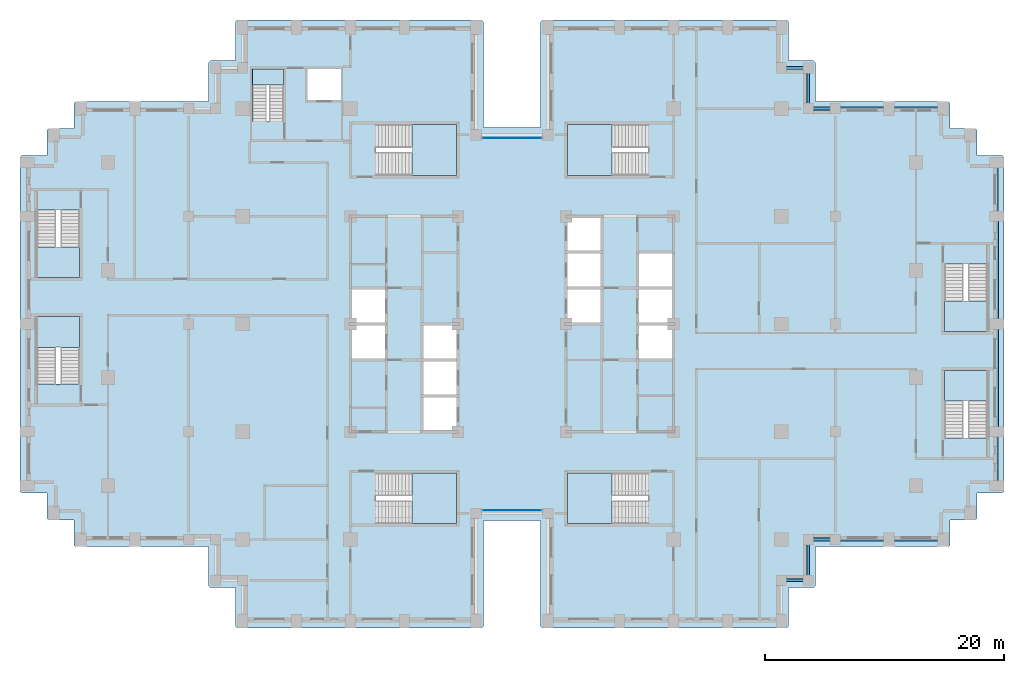
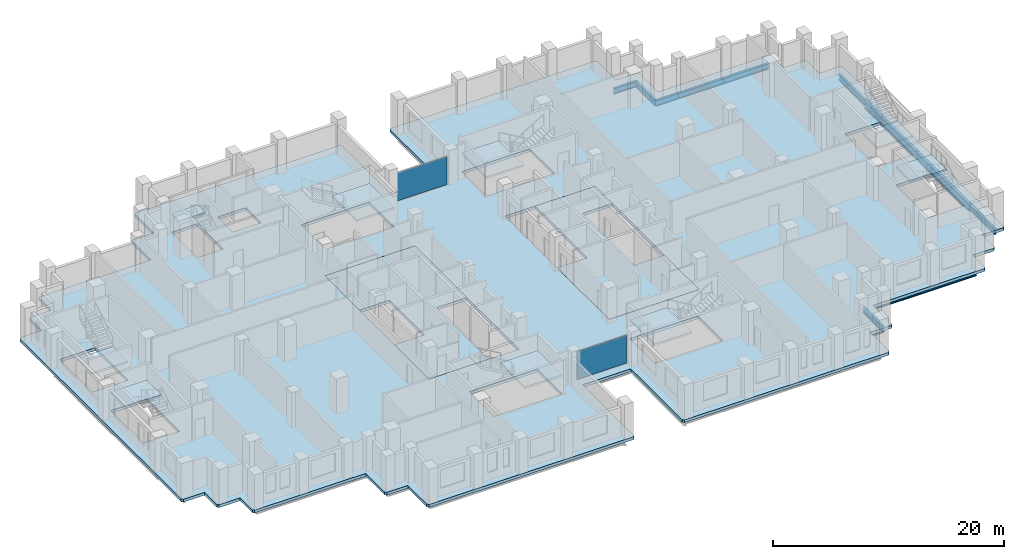
# One storey, part 5 of 16: 14 beams, 12 slabs, 2 plates, 11 elements without a shape of their own.
"""IFC4 building model written with IfcOpenShell, lengths in metres."""

from ifc_helpers import new_model, si_unit, direction, frame, origin, origin_2d, place, context, subcontext, project, spatial, polyline, rectangle, i_section, outline, extrude, material, layer, layer_set, material_profile, profile_set, type_object, element, aggregate, save


model = new_model("IFC4")

# Units and contexts
model_context = context("Model", 3, precision=1e-05, world=origin(), true_north=direction((0.0, 1.0)))
body_context = subcontext(model_context, "Body", "Model", "MODEL_VIEW")
ifc_project = project(units=[si_unit("LENGTHUNIT", "METRE"), si_unit("AREAUNIT", "SQUARE_METRE"), si_unit("VOLUMEUNIT", "CUBIC_METRE"), si_unit("PLANEANGLEUNIT", "RADIAN"), si_unit("MASSUNIT", "GRAM", prefix="KILO")], contexts=[model_context])

# Site, building, storey
site_placement = place(None, origin())
site = spatial("IfcSite", under=ifc_project, at=site_placement, CompositionType="ELEMENT")
building_placement = place(site_placement, origin())
building = spatial("IfcBuilding", under=site, at=building_placement, Name="Corbelhall Arena Tower", CompositionType="ELEMENT")
storey_placement = place(building_placement, frame((0.0, 0.0, 72.0)))
storey = spatial("IfcBuildingStorey", under=building, at=storey_placement, Name="L10", CompositionType="ELEMENT", Elevation=72.0)

# Beams
ifc_material_1 = material(Name="Steel ASTM A992 Gr50", Category="steel")
ifc_material_profile_1 = material_profile(ifc_material_1, i_section(OverallWidth=0.23046875, OverallDepth=0.6171875, WebThickness=0.01318359375, FlangeThickness=0.022216796875, at=origin_2d()))
ifc_profile_set_1 = profile_set([ifc_material_profile_1], Name="Steel ASTM A992 Gr50")
beam_type_1 = type_object("IfcBeamType", Name="ST-SPANDREL-W24x94", PredefinedType="SPANDREL", material=ifc_profile_set_1)
for number, where, z_axis, x_axis, name in (
    (1, (40.5, 13.5, -0.608642578125), (0.0, -1.0, 0.0), (1.0, 0.0, 0.0), "Beam SP 10"),
    (2, (40.5, -9.0, -0.608642578125), (0.0, -1.0, 0.0), (1.0, 0.0, 0.0), "Beam SP 11"),
    (3, (31.5, 18.0, -0.608642578125), (1.0, 0.0, 0.0), (0.0, 1.0, 0.0), "Beam SP 12"),
    (4, (31.5, -18.0, -0.608642578125), (-1.0, 0.0, 0.0), (0.0, -1.0, 0.0), "Beam SP 13"),
    (5, (36.0, -18.0, -0.608642578125), (-1.0, 0.0, 0.0), (0.0, -1.0, 0.0), "Beam SP 14"),
    (6, (27.0, 18.0, -0.608642578125), (1.0, 0.0, 0.0), (0.0, 1.0, 0.0), "Beam SP 15"),
):
    element("IfcBeam", number, at=place(storey_placement, frame(where, z_axis=z_axis, x_axis=x_axis)), inside=storey, type_object=beam_type_1, Name=name, PredefinedType="SPANDREL", context=body_context, shape_type="SweptSolid", body=[
        extrude(i_section(OverallWidth=0.23046875, OverallDepth=0.6171875, WebThickness=0.01318359375, FlangeThickness=0.022216796875, at=origin_2d()), origin(), (0.0, 0.0, 1.0), 4.5),
    ])
for number, where, z_axis, x_axis, name in (
    (7, (27.0, -18.0, -0.608642578125), (-1.0, 0.0, 0.0), (0.0, -1.0, 0.0), "Beam SP 16"),
    (8, (22.5, 21.39990234375, -0.608642578125), (1.0, 0.0, 0.0), (0.0, 1.0, 0.0), "Beam SP 43"),
):
    element("IfcBeam", number, at=place(storey_placement, frame(where, z_axis=z_axis, x_axis=x_axis)), inside=storey, type_object=beam_type_1, Name=name, PredefinedType="SPANDREL", context=body_context, shape_type="SweptSolid", body=[
        extrude(i_section(OverallWidth=0.23046875, OverallDepth=0.6171875, WebThickness=0.01318359375, FlangeThickness=0.022216796875, at=origin_2d()), origin(), (0.0, 0.0, 1.0), 2.25),
    ])
beam_1_placement = place(storey_placement, frame((24.75, 21.39990234375, -0.608642578125), z_axis=(0.0, -1.0, 0.0), x_axis=(1.0, 0.0, 0.0)))
element("IfcBeam", 9, at=beam_1_placement, inside=storey, type_object=beam_type_1, Name="Beam SP 44", PredefinedType="SPANDREL", context=body_context, shape_type="SweptSolid", body=[
    extrude(i_section(OverallWidth=0.23046875, OverallDepth=0.6171875, WebThickness=0.01318359375, FlangeThickness=0.022216796875, at=origin_2d()), origin(), (0.0, 0.0, 1.0), 3.39990234375),
])
for number, where, z_axis, x_axis, name in (
    (10, (24.75, 18.0, -0.608642578125), (1.0, 0.0, 0.0), (0.0, 1.0, 0.0), "Beam SP 45"),
    (11, (24.75, -21.39990234375, -0.608642578125), (-1.0, 0.0, 0.0), (0.0, -1.0, 0.0), "Beam SP 50"),
):
    element("IfcBeam", number, at=place(storey_placement, frame(where, z_axis=z_axis, x_axis=x_axis)), inside=storey, type_object=beam_type_1, Name=name, PredefinedType="SPANDREL", context=body_context, shape_type="SweptSolid", body=[
        extrude(i_section(OverallWidth=0.23046875, OverallDepth=0.6171875, WebThickness=0.01318359375, FlangeThickness=0.022216796875, at=origin_2d()), origin(), (0.0, 0.0, 1.0), 2.25),
    ])
beam_2_placement = place(storey_placement, frame((24.75, -18.0, -0.608642578125), z_axis=(0.0, -1.0, 0.0), x_axis=(1.0, 0.0, 0.0)))
element("IfcBeam", 12, at=beam_2_placement, inside=storey, type_object=beam_type_1, Name="Beam SP 51", PredefinedType="SPANDREL", context=body_context, shape_type="SweptSolid", body=[
    extrude(i_section(OverallWidth=0.23046875, OverallDepth=0.6171875, WebThickness=0.01318359375, FlangeThickness=0.022216796875, at=origin_2d()), origin(), (0.0, 0.0, 1.0), 3.39990234375),
])
ifc_material_profile_2 = material_profile(ifc_material_1, i_section(OverallWidth=0.2919921875, OverallDepth=0.845703125, WebThickness=0.015380859375, FlangeThickness=0.0244140625, at=origin_2d()))
ifc_profile_set_2 = profile_set([ifc_material_profile_2], Name="Steel ASTM A992 Gr50")
beam_type_2 = type_object("IfcBeamType", Name="ST-SPANDREL-W33x141", PredefinedType="SPANDREL", material=ifc_profile_set_2)
for number, where, z_axis, x_axis, name in (
    (13, (40.5, 0.0, -0.722900390625), (0.0, -1.0, 0.0), (1.0, 0.0, 0.0), "Beam SP 8"),
    (14, (40.5, 9.0, -0.722900390625), (0.0, -1.0, 0.0), (1.0, 0.0, 0.0), "Beam SP 9"),
):
    element("IfcBeam", number, at=place(storey_placement, frame(where, z_axis=z_axis, x_axis=x_axis)), inside=storey, type_object=beam_type_2, Name=name, PredefinedType="SPANDREL", context=body_context, shape_type="SweptSolid", body=[
        extrude(i_section(OverallWidth=0.2919921875, OverallDepth=0.845703125, WebThickness=0.015380859375, FlangeThickness=0.0244140625, at=origin_2d()), origin(), (0.0, 0.0, 1.0), 9.0),
    ])

# Curtain wall, plate
ifc_material_2 = material(Name="Aluminium black anodised", Category="aluminium")
ifc_layer_1 = layer(ifc_material_2, 0.199951171875)
ifc_layer_set_1 = layer_set([ifc_layer_1], Name="EV-CW1 Slot back wall")
curtain_wall_type = type_object("IfcCurtainWallType", Name="EV-CW1 Slot back wall", PredefinedType="NOTDEFINED", material=ifc_layer_set_1)
curtain_wall_1_placement = place(storey_placement, origin())
curtain_wall_1 = element("IfcCurtainWall", 15, at=curtain_wall_1_placement, inside=storey, type_object=curtain_wall_type, Name="Curtain wall CW1", PredefinedType="NOTDEFINED")
ifc_material_3 = material(Name="Glass dark tinted laminated", Category="glass")
ifc_layer_2 = layer(ifc_material_3, 0.028076171875)
ifc_layer_set_2 = layer_set([ifc_layer_2], Name="EV-CW1-PANEL")
plate_type = type_object("IfcPlateType", Name="EV-CW1-PANEL", PredefinedType="CURTAIN_PANEL", material=ifc_layer_set_2)
plate_1_placement = place(storey_placement, frame((0.0, -15.550048828125, 0.0751953125), z_axis=(0.0, 0.0, 1.0), x_axis=(1.0, 0.0, 0.0)))
plate_1 = element("IfcPlate", 16, at=plate_1_placement, type_object=plate_type, Name="CW1 panel 1.1", PredefinedType="CURTAIN_PANEL", context=body_context, shape_type="SweptSolid", body=[
    extrude(rectangle(XDim=4.949951171875, YDim=0.028076171875, at=origin_2d()), origin(), (0.0, 0.0, 1.0), 2.949951171875),
])
aggregate(curtain_wall_1, [plate_1])

curtain_wall_2_placement = place(storey_placement, origin())
curtain_wall_2 = element("IfcCurtainWall", 17, at=curtain_wall_2_placement, inside=storey, type_object=curtain_wall_type, Name="Curtain wall CW1", PredefinedType="NOTDEFINED")
plate_2_placement = place(storey_placement, frame((0.0, 15.550048828125, 0.0751953125), z_axis=(0.0, 0.0, 1.0), x_axis=(-1.0, 0.0, 0.0)))
plate_2 = element("IfcPlate", 18, at=plate_2_placement, type_object=plate_type, Name="CW1 panel 1.1", PredefinedType="CURTAIN_PANEL", context=body_context, shape_type="SweptSolid", body=[
    extrude(rectangle(XDim=4.949951171875, YDim=0.028076171875, at=origin_2d()), origin(), (0.0, 0.0, 1.0), 2.949951171875),
])
aggregate(curtain_wall_2, [plate_2])

# Slabs
ifc_material_4 = material(Name="Concrete C40/50", Category="concrete")
ifc_layer_3 = layer(ifc_material_4, 0.300048828125)
ifc_layer_set_3 = layer_set([ifc_layer_3], Name="IN-SL-CORE")
slab_type_1 = type_object("IfcSlabType", Name="IN-SL-CORE", PredefinedType="FLOOR", material=ifc_layer_set_3)
slab_1_placement = place(storey_placement, frame((0.0, 0.0, -0.300048828125)))
element("IfcSlab", 19, at=slab_1_placement, inside=storey, type_object=slab_type_1, Name="Core floor W", PredefinedType="FLOOR", context=body_context, shape_type="SweptSolid", body=[
    extrude(outline(polyline([(-7.5, 0.0), (-4.5, 0.0), (-4.5, 9.0), (-13.5, 9.0), (-13.5, 3.0), (-10.5, 3.0), (-10.5, 0.0), (-10.5, -3.0), (-13.5, -3.0), (-13.5, -9.0), (-7.5, -9.0), (-7.5, -6.0), (-7.5, -3.0), (-7.5, 0.0)])), origin(), (0.0, 0.0, 1.0), 0.300048828125),
])
slab_2_placement = place(storey_placement, frame((0.0, 0.0, -0.300048828125)))
element("IfcSlab", 20, at=slab_2_placement, inside=storey, type_object=slab_type_1, Name="Core floor E", PredefinedType="FLOOR", context=body_context, shape_type="SweptSolid", body=[
    extrude(outline(polyline([(7.5, 0.0), (4.5, 0.0), (4.5, -9.0), (13.5, -9.0), (13.5, -3.0), (10.5, -3.0), (10.5, 0.0), (10.5, 3.0), (10.5, 6.0), (13.5, 6.0), (13.5, 9.0), (7.5, 9.0), (7.5, 6.0), (7.5, 3.0), (7.5, 0.0)])), origin(), (0.0, 0.0, 1.0), 0.300048828125),
])

# Stair, slab
stair_type = type_object("IfcStairType", Name="IN-ST-TOWER", PredefinedType="HALF_TURN_STAIR", material=ifc_material_4)
stair_1_placement = place(storey_placement, origin())
stair_1 = element("IfcStair", 21, at=stair_1_placement, inside=storey, type_object=stair_type, Name="L10 Exit stair ST1", PredefinedType="HALF_TURN_STAIR")
ifc_layer_4 = layer(ifc_material_4, 0.199951171875)
ifc_layer_set_4 = layer_set([ifc_layer_4], Name="IN-SL-LANDING")
slab_type_2 = type_object("IfcSlabType", Name="IN-SL-LANDING", PredefinedType="LANDING", material=ifc_layer_set_4)
slab_3_placement = place(storey_placement, frame((0.0, 0.0, 1.800048828125)))
slab_3 = element("IfcSlab", 22, at=slab_3_placement, type_object=slab_type_2, Name="ST1 landing 1", PredefinedType="LANDING", context=body_context, shape_type="SweptSolid", body=[
    extrude(outline(polyline([(-8.344970703125, 12.425048828125), (-4.625, 12.425048828125), (-4.625, 16.675048828125), (-8.344970703125, 16.675048828125), (-8.344970703125, 12.425048828125)])), origin(), (0.0, 0.0, 1.0), 0.199951171875),
])
aggregate(stair_1, [slab_3])

stair_2_placement = place(storey_placement, origin())
stair_2 = element("IfcStair", 23, at=stair_2_placement, inside=storey, type_object=stair_type, Name="L10 Exit stair ST2", PredefinedType="HALF_TURN_STAIR")
slab_4_placement = place(storey_placement, frame((0.0, 0.0, 1.800048828125)))
slab_4 = element("IfcSlab", 24, at=slab_4_placement, type_object=slab_type_2, Name="ST2 landing 1", PredefinedType="LANDING", context=body_context, shape_type="SweptSolid", body=[
    extrude(outline(polyline([(-8.344970703125, -16.675048828125), (-4.625, -16.675048828125), (-4.625, -12.425048828125), (-8.344970703125, -12.425048828125), (-8.344970703125, -16.675048828125)])), origin(), (0.0, 0.0, 1.0), 0.199951171875),
])
aggregate(stair_2, [slab_4])

stair_3_placement = place(storey_placement, origin())
stair_3 = element("IfcStair", 25, at=stair_3_placement, inside=storey, type_object=stair_type, Name="L10 Exit stair ST3", PredefinedType="HALF_TURN_STAIR")
slab_5_placement = place(storey_placement, frame((0.0, 0.0, 1.800048828125)))
slab_5 = element("IfcSlab", 26, at=slab_5_placement, type_object=slab_type_2, Name="ST3 landing 1", PredefinedType="LANDING", context=body_context, shape_type="SweptSolid", body=[
    extrude(outline(polyline([(8.344970703125, 16.675048828125), (4.625, 16.675048828125), (4.625, 12.425048828125), (8.344970703125, 12.425048828125), (8.344970703125, 16.675048828125)])), origin(), (0.0, 0.0, 1.0), 0.199951171875),
])
aggregate(stair_3, [slab_5])

stair_4_placement = place(storey_placement, origin())
stair_4 = element("IfcStair", 27, at=stair_4_placement, inside=storey, type_object=stair_type, Name="L10 Exit stair ST4", PredefinedType="HALF_TURN_STAIR")
slab_6_placement = place(storey_placement, frame((0.0, 0.0, 1.800048828125)))
slab_6 = element("IfcSlab", 28, at=slab_6_placement, type_object=slab_type_2, Name="ST4 landing 1", PredefinedType="LANDING", context=body_context, shape_type="SweptSolid", body=[
    extrude(outline(polyline([(8.344970703125, -12.425048828125), (4.625, -12.425048828125), (4.625, -16.675048828125), (8.344970703125, -16.675048828125), (8.344970703125, -12.425048828125)])), origin(), (0.0, 0.0, 1.0), 0.199951171875),
])
aggregate(stair_4, [slab_6])

stair_5_placement = place(storey_placement, origin())
stair_5 = element("IfcStair", 29, at=stair_5_placement, inside=storey, type_object=stair_type, Name="L10 Exit stair SC1", PredefinedType="HALF_TURN_STAIR")
slab_7_placement = place(storey_placement, frame((0.0, 0.0, 1.800048828125)))
slab_7 = element("IfcSlab", 30, at=slab_7_placement, type_object=slab_type_2, Name="SC1 landing 1", PredefinedType="LANDING", context=body_context, shape_type="SweptSolid", body=[
    extrude(outline(polyline([(-39.699951171875, 6.445068359375), (-39.699951171875, 3.875), (-36.125, 3.875), (-36.125, 6.445068359375), (-39.699951171875, 6.445068359375)])), origin(), (0.0, 0.0, 1.0), 0.199951171875),
])
aggregate(stair_5, [slab_7])

stair_6_placement = place(storey_placement, origin())
stair_6 = element("IfcStair", 31, at=stair_6_placement, inside=storey, type_object=stair_type, Name="L10 Exit stair SC2", PredefinedType="HALF_TURN_STAIR")
slab_8_placement = place(storey_placement, frame((0.0, 0.0, 1.800048828125)))
slab_8 = element("IfcSlab", 32, at=slab_8_placement, type_object=slab_type_2, Name="SC2 landing 1", PredefinedType="LANDING", context=body_context, shape_type="SweptSolid", body=[
    extrude(outline(polyline([(-36.125, -1.945068359375), (-36.125, 0.625), (-39.699951171875, 0.625), (-39.699951171875, -1.945068359375), (-36.125, -1.945068359375)])), origin(), (0.0, 0.0, 1.0), 0.199951171875),
])
aggregate(stair_6, [slab_8])

stair_7_placement = place(storey_placement, origin())
stair_7 = element("IfcStair", 33, at=stair_7_placement, inside=storey, type_object=stair_type, Name="L10 Exit stair SD1", PredefinedType="HALF_TURN_STAIR")
slab_9_placement = place(storey_placement, frame((0.0, 0.0, 1.800048828125)))
slab_9 = element("IfcSlab", 34, at=slab_9_placement, type_object=slab_type_2, Name="SD1 landing 1", PredefinedType="LANDING", context=body_context, shape_type="SweptSolid", body=[
    extrude(outline(polyline([(39.699951171875, -6.445068359375), (39.699951171875, -3.875), (36.125, -3.875), (36.125, -6.445068359375), (39.699951171875, -6.445068359375)])), origin(), (0.0, 0.0, 1.0), 0.199951171875),
])
aggregate(stair_7, [slab_9])

stair_8_placement = place(storey_placement, origin())
stair_8 = element("IfcStair", 35, at=stair_8_placement, inside=storey, type_object=stair_type, Name="L10 Exit stair SD2", PredefinedType="HALF_TURN_STAIR")
slab_10_placement = place(storey_placement, frame((0.0, 0.0, 1.800048828125)))
slab_10 = element("IfcSlab", 36, at=slab_10_placement, type_object=slab_type_2, Name="SD2 landing 1", PredefinedType="LANDING", context=body_context, shape_type="SweptSolid", body=[
    extrude(outline(polyline([(36.125, 1.945068359375), (36.125, -0.625), (39.699951171875, -0.625), (39.699951171875, 1.945068359375), (36.125, 1.945068359375)])), origin(), (0.0, 0.0, 1.0), 0.199951171875),
])
aggregate(stair_8, [slab_10])

stair_9_placement = place(storey_placement, origin())
stair_9 = element("IfcStair", 37, at=stair_9_placement, inside=storey, type_object=stair_type, Name="L10 Exit stair ST5", PredefinedType="HALF_TURN_STAIR")
slab_11_placement = place(storey_placement, frame((0.0, 0.0, 1.800048828125)))
slab_11 = element("IfcSlab", 38, at=slab_11_placement, type_object=slab_type_2, Name="ST5 landing 1", PredefinedType="LANDING", context=body_context, shape_type="SweptSolid", body=[
    extrude(outline(polyline([(-19.094970703125, 19.97998046875), (-19.094970703125, 21.300048828125), (-21.695068359375, 21.300048828125), (-21.695068359375, 19.97998046875), (-19.094970703125, 19.97998046875)])), origin(), (0.0, 0.0, 1.0), 0.199951171875),
])
aggregate(stair_9, [slab_11])

# Slab
ifc_layer_5 = layer(ifc_material_4, 0.300048828125)
ifc_layer_set_5 = layer_set([ifc_layer_5], Name="ST-SLAB-FLOOR-300")
slab_type_3 = type_object("IfcSlabType", Name="ST-SLAB-FLOOR-300", PredefinedType="FLOOR", material=ifc_layer_set_5)
slab_12_placement = place(storey_placement, frame((0.0, 0.0, -0.300048828125)))
element("IfcSlab", 39, at=slab_12_placement, inside=storey, type_object=slab_type_3, Name="Floor slab L10 1", PredefinedType="FLOOR", context=body_context, shape_type="SweptSolid", body=[
    extrude(outline(polyline([(25.35009765625, 18.60009765625), (25.35009765625, 21.85009765625), (25.199951171875, 22.0), (23.10009765625, 22.0), (23.10009765625, 25.25), (22.949951171875, 25.39990234375), (2.550048828125, 25.39990234375), (2.39990234375, 25.25), (2.39990234375, 16.39990234375), (-2.39990234375, 16.39990234375), (-2.39990234375, 25.25), (-2.550048828125, 25.39990234375), (-22.949951171875, 25.39990234375), (-23.10009765625, 25.25), (-23.10009765625, 22.0), (-25.199951171875, 22.0), (-25.35009765625, 21.85009765625), (-25.35009765625, 18.60009765625), (-36.449951171875, 18.60009765625), (-36.60009765625, 18.449951171875), (-36.60009765625, 16.35009765625), (-38.699951171875, 16.35009765625), (-38.85009765625, 16.199951171875), (-38.85009765625, 14.10009765625), (-40.949951171875, 14.10009765625), (-41.10009765625, 13.949951171875), (-41.10009765625, -13.949951171875), (-40.949951171875, -14.10009765625), (-38.85009765625, -14.10009765625), (-38.85009765625, -16.199951171875), (-38.699951171875, -16.35009765625), (-36.60009765625, -16.35009765625), (-36.60009765625, -18.449951171875), (-36.449951171875, -18.60009765625), (-25.35009765625, -18.60009765625), (-25.35009765625, -21.85009765625), (-25.199951171875, -22.0), (-23.10009765625, -22.0), (-23.10009765625, -25.25), (-22.949951171875, -25.39990234375), (-2.550048828125, -25.39990234375), (-2.39990234375, -25.25), (-2.39990234375, -16.39990234375), (2.39990234375, -16.39990234375), (2.39990234375, -25.25), (2.550048828125, -25.39990234375), (22.949951171875, -25.39990234375), (23.10009765625, -25.25), (23.10009765625, -22.0), (25.199951171875, -22.0), (25.35009765625, -21.85009765625), (25.35009765625, -18.60009765625), (36.449951171875, -18.60009765625), (36.60009765625, -18.449951171875), (36.60009765625, -16.35009765625), (38.699951171875, -16.35009765625), (38.85009765625, -16.199951171875), (38.85009765625, -14.10009765625), (40.949951171875, -14.10009765625), (41.10009765625, -13.949951171875), (41.10009765625, 13.949951171875), (40.949951171875, 14.10009765625), (38.85009765625, 14.10009765625), (38.85009765625, 16.199951171875), (38.699951171875, 16.35009765625), (36.60009765625, 16.35009765625), (36.60009765625, 18.449951171875), (36.449951171875, 18.60009765625), (25.35009765625, 18.60009765625)]), holes=[polyline([(-13.5, 9.0), (-13.5, -9.0), (-4.5, -9.0), (-4.5, 9.0), (-13.5, 9.0)]), polyline([(4.5, 9.0), (4.5, -9.0), (13.5, -9.0), (13.5, 9.0), (4.5, 9.0)]), polyline([(-4.625, 16.675048828125), (-11.422119140625, 16.675048828125), (-11.422119140625, 12.425048828125), (-4.625, 12.425048828125), (-4.625, 16.675048828125)]), polyline([(-4.625, -16.675048828125), (-4.625, -12.425048828125), (-11.422119140625, -12.425048828125), (-11.422119140625, -16.675048828125), (-4.625, -16.675048828125)]), polyline([(11.422119140625, 16.675048828125), (4.625, 16.675048828125), (4.625, 12.425048828125), (11.422119140625, 12.425048828125), (11.422119140625, 16.675048828125)]), polyline([(11.422119140625, -16.675048828125), (11.422119140625, -12.425048828125), (4.625, -12.425048828125), (4.625, -16.675048828125), (11.422119140625, -16.675048828125)]), polyline([(-36.125, 3.875), (-36.125, 9.52197265625), (-39.699951171875, 9.52197265625), (-39.699951171875, 3.875), (-36.125, 3.875)]), polyline([(-36.125, 0.625), (-39.699951171875, 0.625), (-39.699951171875, -5.02197265625), (-36.125, -5.02197265625), (-36.125, 0.625)]), polyline([(39.699951171875, -9.52197265625), (39.699951171875, -3.875), (36.125, -3.875), (36.125, -9.52197265625), (39.699951171875, -9.52197265625)]), polyline([(39.699951171875, 5.02197265625), (36.125, 5.02197265625), (36.125, -0.625), (39.699951171875, -0.625), (39.699951171875, 5.02197265625)]), polyline([(-21.695068359375, 21.300048828125), (-21.695068359375, 16.903076171875), (-19.094970703125, 16.903076171875), (-19.094970703125, 21.300048828125), (-21.695068359375, 21.300048828125)]), polyline([(-14.300048828125, 21.300048828125), (-17.10009765625, 21.300048828125), (-17.10009765625, 18.699951171875), (-14.300048828125, 18.699951171875), (-14.300048828125, 21.300048828125)])]), origin(), (0.0, 0.0, 1.0), 0.300048828125),
])

save(model, "model.ifc")
